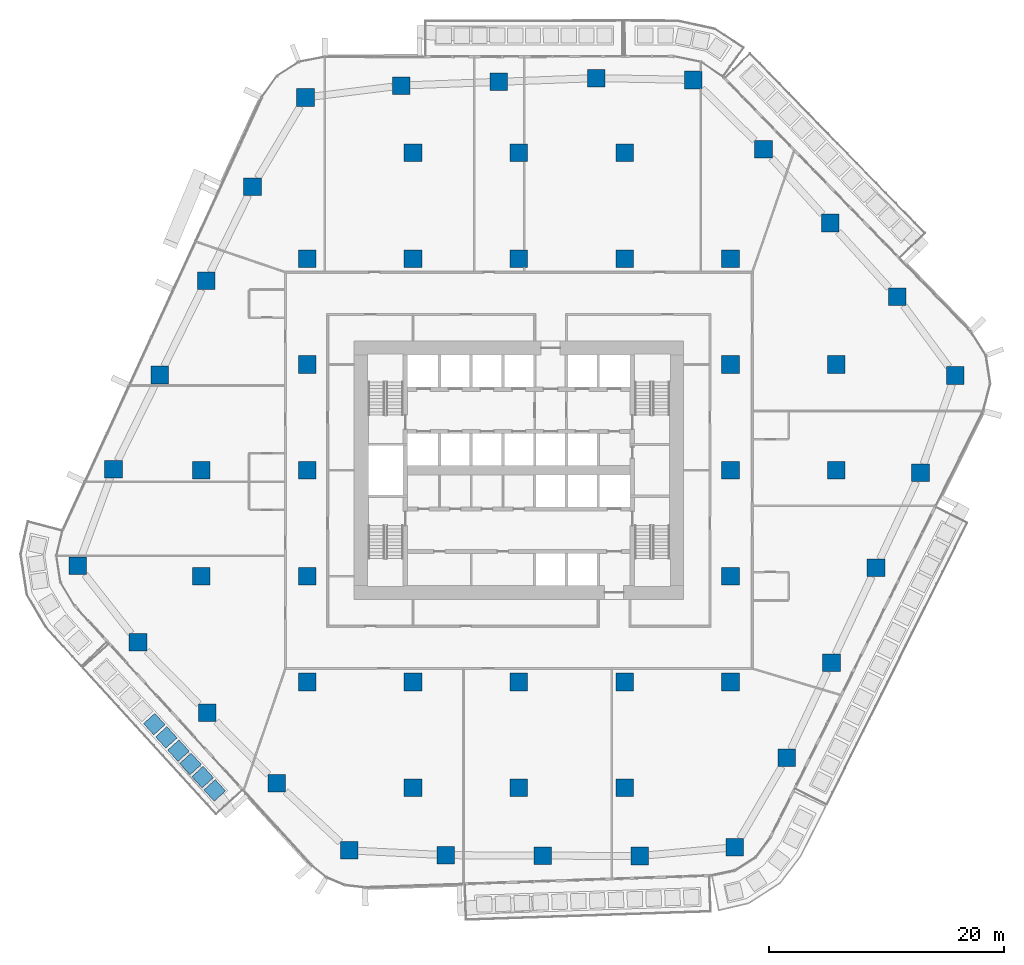
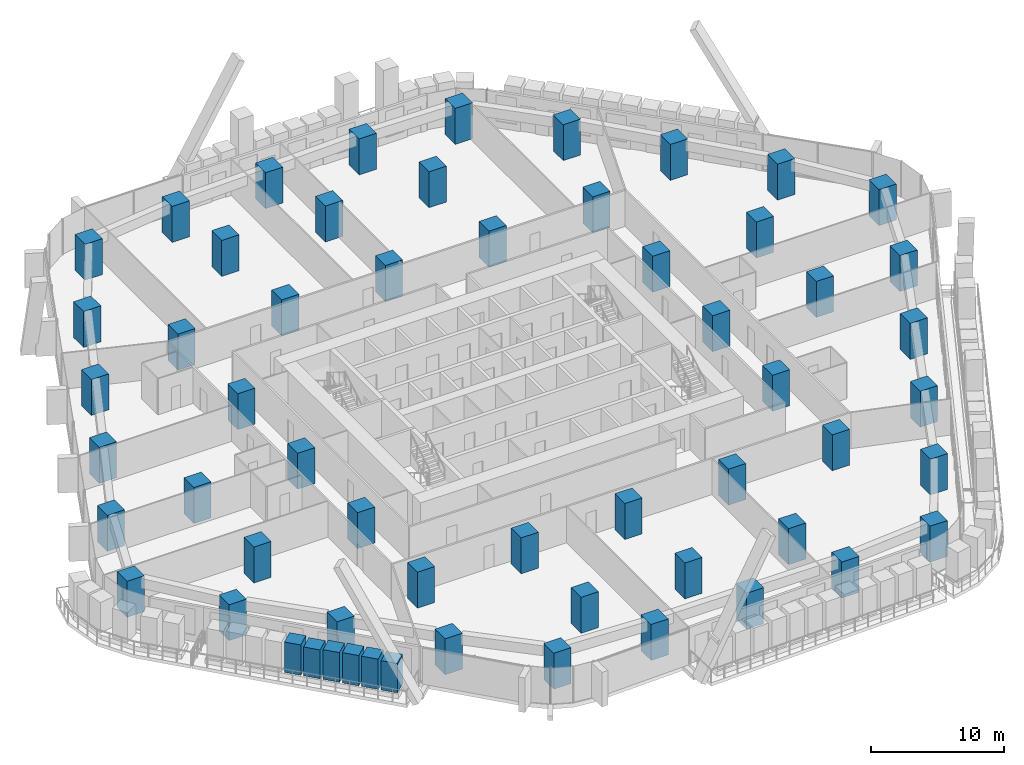
# One storey, part 1 of 26: 52 columns, 6 members.
"""IFC4 building model written with IfcOpenShell, lengths in metres."""

from ifc_helpers import new_model, si_unit, direction, frame, origin, origin_2d, place, context, subcontext, project, spatial, rectangle, extrude, material, material_profile, profile_set, type_object, element, save


model = new_model("IFC4")

# Units and contexts
model_context = context("Model", 3, precision=1e-05, world=origin(), true_north=direction((0.0, 1.0)))
body_context = subcontext(model_context, "Body", "Model", "MODEL_VIEW")
ifc_project = project(units=[si_unit("LENGTHUNIT", "METRE"), si_unit("AREAUNIT", "SQUARE_METRE"), si_unit("VOLUMEUNIT", "CUBIC_METRE"), si_unit("PLANEANGLEUNIT", "RADIAN"), si_unit("MASSUNIT", "GRAM", prefix="KILO")], contexts=[model_context])

# Site, building, storey
site_placement = place(None, origin())
site = spatial("IfcSite", under=ifc_project, at=site_placement, CompositionType="ELEMENT")
building_placement = place(site_placement, origin())
building = spatial("IfcBuilding", under=site, at=building_placement, Name="Dongbaek Canopy Tower", CompositionType="ELEMENT")
storey_placement = place(building_placement, frame((0.0, 0.0, 73.60009765625)))
storey = spatial("IfcBuildingStorey", under=building, at=storey_placement, Name="L14", CompositionType="ELEMENT", Elevation=73.60009765625)

# Columns
ifc_material_1 = material(Name="Concrete C80", Category="concrete")
ifc_material_profile_1 = material_profile(ifc_material_1, rectangle(XDim=1.5, YDim=1.5, at=origin_2d()), Name="RC COLUMN 1500x1500 C80")
ifc_profile_set_1 = profile_set([ifc_material_profile_1], Name="Concrete C80")
column_type = type_object("IfcColumnType", Name="RC COLUMN 1500x1500 C80", PredefinedType="COLUMN", material=ifc_profile_set_1)
for number, where, z_axis, x_axis, name in (
    (1, (18.367919921875, -32.04296875, 0.0), (0.0, 0.0, 1.0), (1.0, 0.0, 0.0), "COL:CZ1-01:L14"),
    (2, (10.277099609375, -32.7900390625, 0.0), (0.0, 0.0, 1.0), (1.0, 0.0, 0.0), "COL:CZ1-02:L14"),
    (3, (2.027099609375, -32.7529296875, 0.0), (0.0, 0.0, 1.0), (1.0, 0.0, 0.0), "COL:CZ1-03:L14"),
    (4, (-6.221923828125, -32.717041015625, 0.0), (0.0, 0.0, 1.0), (1.0, 0.0, 0.0), "COL:CZ1-04:L14"),
    (5, (-14.43408203125, -32.31298828125, 0.0), (0.0, 0.0, 1.0), (1.0, 0.0, 0.0), "COL:CZ1-05:L14"),
    (6, (-20.573974609375, -26.60205078125, 0.0), (0.0, 0.0, 1.0), (1.0, 0.0, 0.0), "COL:CZ1-06:L14"),
    (7, (-26.47802734375, -20.60791015625, 0.0), (0.0, 0.0, 1.0), (1.0, 0.0, 0.0), "COL:CZ1-07:L14"),
    (8, (-32.382080078125, -14.613037109375, 0.0), (0.0, 0.0, 1.0), (1.0, 0.0, 0.0), "COL:CZ1-08:L14"),
    (9, (-37.489013671875, -8.123046875, 0.0), (0.0, 0.0, 1.0), (1.0, 0.0, 0.0), "COL:CZ1-09:L14"),
    (10, (-34.462890625, 0.10302734375, 0.0), (0.0, 0.0, 1.0), (1.0, 0.0, 0.0), "COL:CZ1-10:L14"),
    (11, (-30.52490234375, 8.111083984375, 0.0), (0.0, 0.0, 1.0), (1.0, 0.0, 0.0), "COL:CZ1-11:L14"),
    (12, (-26.5859375, 16.117919921875, 0.0), (0.0, 0.0, 1.0), (1.0, 0.0, 0.0), "COL:CZ1-12:L14"),
    (13, (-22.64794921875, 24.125, 0.0), (0.0, 0.0, 1.0), (1.0, 0.0, 0.0), "COL:CZ1-13:L14"),
    (14, (-18.138916015625, 31.698974609375, 0.0), (0.0, 0.0, 1.0), (1.0, 0.0, 0.0), "COL:CZ1-14:L14"),
    (15, (-10.006103515625, 32.714111328125, 0.0), (0.0, 0.0, 1.0), (1.0, 0.0, 0.0), "COL:CZ1-15:L14"),
    (16, (-1.7080078125, 33.031982421875, 0.0), (0.0, 0.0, 1.0), (1.0, 0.0, 0.0), "COL:CZ1-16:L14"),
    (17, (6.589111328125, 33.34912109375, 0.0), (0.0, 0.0, 1.0), (1.0, 0.0, 0.0), "COL:CZ1-17:L14"),
    (18, (14.830078125, 33.194091796875, 0.0), (0.0, 0.0, 1.0), (1.0, 0.0, 0.0), "COL:CZ1-18:L14"),
    (19, (20.804931640625, 27.297119140625, 0.0), (0.0, 0.0, 1.0), (1.0, 0.0, 0.0), "COL:CZ1-19:L14"),
    (20, (26.48193359375, 21.029052734375, 0.0), (0.0, 0.0, 1.0), (1.0, 0.0, 0.0), "COL:CZ1-20:L14"),
    (21, (32.157958984375, 14.760986328125, 0.0), (0.0, 0.0, 1.0), (1.0, 0.0, 0.0), "COL:CZ1-21:L14"),
    (22, (37.097900390625, 8.06591796875, 0.0), (0.0, 0.0, 1.0), (1.0, 0.0, 0.0), "COL:CZ1-22:L14"),
    (23, (34.14306640625, -0.205078125, 0.0), (0.0, 0.0, 1.0), (1.0, 0.0, 0.0), "COL:CZ1-23:L14"),
    (24, (30.360107421875, -8.283935546875, 0.0), (0.0, 0.0, 1.0), (1.0, 0.0, 0.0), "COL:CZ1-24:L14"),
    (25, (26.575927734375, -16.364013671875, 0.0), (0.0, 0.0, 1.0), (1.0, 0.0, 0.0), "COL:CZ1-25:L14"),
    (26, (22.7919921875, -24.443115234375, 0.0), (0.0, 0.0, 1.0), (1.0, 0.0, 0.0), "COL:CZ1-26:L14"),
    (27, (-27.0, -9.0, 0.0), (0.0, 0.0, 1.0), (1.0, 0.0, 0.0), "COL:CIZ1-01:L14"),
    (28, (-27.0, 0.0, 0.0), (0.0, 0.0, 1.0), (1.0, 0.0, 0.0), "COL:CIZ1-02:L14"),
    (29, (-18.0, -18.0, 0.0), (0.0, 0.0, 1.0), (1.0, 0.0, 0.0), "COL:CIZ1-03:L14"),
    (30, (-18.0, -9.0, 0.0), (0.0, 0.0, 1.0), (1.0, 0.0, 0.0), "COL:CIZ1-04:L14"),
    (31, (-18.0, 0.0, 0.0), (0.0, 0.0, 1.0), (1.0, 0.0, 0.0), "COL:CIZ1-05:L14"),
    (32, (-18.0, 9.0, 0.0), (0.0, 0.0, 1.0), (1.0, 0.0, 0.0), "COL:CIZ1-06:L14"),
    (33, (-18.0, 18.0, 0.0), (0.0, 0.0, 1.0), (1.0, 0.0, 0.0), "COL:CIZ1-07:L14"),
    (34, (-9.0, -27.0, 0.0), (0.0, 0.0, 1.0), (1.0, 0.0, 0.0), "COL:CIZ1-08:L14"),
    (35, (-9.0, -18.0, 0.0), (0.0, 0.0, 1.0), (1.0, 0.0, 0.0), "COL:CIZ1-09:L14"),
    (36, (-9.0, 18.0, 0.0), (0.0, 0.0, 1.0), (1.0, 0.0, 0.0), "COL:CIZ1-10:L14"),
    (37, (-9.0, 27.0, 0.0), (0.0, 0.0, 1.0), (1.0, 0.0, 0.0), "COL:CIZ1-11:L14"),
    (38, (0.0, -27.0, 0.0), (0.0, 0.0, 1.0), (1.0, 0.0, 0.0), "COL:CIZ1-12:L14"),
    (39, (0.0, -18.0, 0.0), (0.0, 0.0, 1.0), (1.0, 0.0, 0.0), "COL:CIZ1-13:L14"),
    (40, (0.0, 18.0, 0.0), (0.0, 0.0, 1.0), (1.0, 0.0, 0.0), "COL:CIZ1-14:L14"),
    (41, (0.0, 27.0, 0.0), (0.0, 0.0, 1.0), (1.0, 0.0, 0.0), "COL:CIZ1-15:L14"),
    (42, (9.0, -27.0, 0.0), (0.0, 0.0, 1.0), (1.0, 0.0, 0.0), "COL:CIZ1-16:L14"),
    (43, (9.0, -18.0, 0.0), (0.0, 0.0, 1.0), (1.0, 0.0, 0.0), "COL:CIZ1-17:L14"),
    (44, (9.0, 18.0, 0.0), (0.0, 0.0, 1.0), (1.0, 0.0, 0.0), "COL:CIZ1-18:L14"),
    (45, (9.0, 27.0, 0.0), (0.0, 0.0, 1.0), (1.0, 0.0, 0.0), "COL:CIZ1-19:L14"),
    (46, (18.0, -18.0, 0.0), (0.0, 0.0, 1.0), (1.0, 0.0, 0.0), "COL:CIZ1-20:L14"),
    (47, (18.0, -9.0, 0.0), (0.0, 0.0, 1.0), (1.0, 0.0, 0.0), "COL:CIZ1-21:L14"),
    (48, (18.0, 0.0, 0.0), (0.0, 0.0, 1.0), (1.0, 0.0, 0.0), "COL:CIZ1-22:L14"),
    (49, (18.0, 9.0, 0.0), (0.0, 0.0, 1.0), (1.0, 0.0, 0.0), "COL:CIZ1-23:L14"),
    (50, (18.0, 18.0, 0.0), (0.0, 0.0, 1.0), (1.0, 0.0, 0.0), "COL:CIZ1-24:L14"),
    (51, (27.0, 0.0, 0.0), (0.0, 0.0, 1.0), (1.0, 0.0, 0.0), "COL:CIZ1-25:L14"),
    (52, (27.0, 9.0, 0.0), (0.0, 0.0, 1.0), (1.0, 0.0, 0.0), "COL:CIZ1-26:L14"),
):
    element("IfcColumn", number, at=place(storey_placement, frame(where, z_axis=z_axis, x_axis=x_axis)), inside=storey, type_object=column_type, Name=name, PredefinedType="COLUMN", context=body_context, shape_type="SweptSolid", body=[
        extrude(rectangle(XDim=1.5, YDim=1.5, at=origin_2d()), origin(), (0.0, 0.0, 1.0), 3.2998046875),
    ])

# Members
ifc_material_2 = material(Name="Concrete C40/50 planter mass with planting", Category="concrete")
ifc_material_profile_2 = material_profile(ifc_material_2, rectangle(XDim=1.300048828125, YDim=1.300048828125, at=origin_2d()), Name="Terrace PLANTER shrub mass 1300 x 1300")
ifc_profile_set_2 = profile_set([ifc_material_profile_2], Name="Concrete C40/50 planter mass with planting")
member_type = type_object("IfcMemberType", Name="Terrace PLANTER shrub mass 1300 x 1300", PredefinedType="USERDEFINED", material=ifc_profile_set_2)
member_1_placement = place(storey_placement, frame((-30.9951171875, -21.578369140625, 0.419921875), z_axis=(0.0, 0.0, 1.0), x_axis=(-0.738720005108, -0.674012428708, 0.0)))
element("IfcMember", 53, at=member_1_placement, inside=storey, type_object=member_type, Name="Planter shrubs L14 3.5", ObjectType="PLANTER", PredefinedType="USERDEFINED", context=body_context, shape_type="SweptSolid", body=[
    extrude(rectangle(XDim=1.300048828125, YDim=1.300048828125, at=origin_2d()), origin(), (0.0, 0.0, 1.0), 2.780029296875),
])
member_2_placement = place(storey_placement, frame((-29.967041015625, -22.705322265625, 0.419921875), z_axis=(0.0, 0.0, 1.0), x_axis=(-0.738720005108, -0.674012428708, 0.0)))
element("IfcMember", 54, at=member_2_placement, inside=storey, type_object=member_type, Name="Planter shrubs L14 3.6", ObjectType="PLANTER", PredefinedType="USERDEFINED", context=body_context, shape_type="SweptSolid", body=[
    extrude(rectangle(XDim=1.300048828125, YDim=1.300048828125, at=origin_2d()), origin(), (0.0, 0.0, 1.0), 2.64990234375),
])
member_3_placement = place(storey_placement, frame((-28.93896484375, -23.83203125, 0.419921875), z_axis=(0.0, 0.0, 1.0), x_axis=(-0.738720005108, -0.674012428708, 0.0)))
element("IfcMember", 55, at=member_3_placement, inside=storey, type_object=member_type, Name="Planter shrubs L14 3.7", ObjectType="PLANTER", PredefinedType="USERDEFINED", context=body_context, shape_type="SweptSolid", body=[
    extrude(rectangle(XDim=1.300048828125, YDim=1.300048828125, at=origin_2d()), origin(), (0.0, 0.0, 1.0), 2.72998046875),
])
member_4_placement = place(storey_placement, frame((-27.91064453125, -24.958740234375, 0.419921875), z_axis=(0.0, 0.0, 1.0), x_axis=(-0.738720005108, -0.674012428708, 0.0)))
element("IfcMember", 56, at=member_4_placement, inside=storey, type_object=member_type, Name="Planter shrubs L14 3.8", ObjectType="PLANTER", PredefinedType="USERDEFINED", context=body_context, shape_type="SweptSolid", body=[
    extrude(rectangle(XDim=1.300048828125, YDim=1.300048828125, at=origin_2d()), origin(), (0.0, 0.0, 1.0), 2.780029296875),
])
member_5_placement = place(storey_placement, frame((-26.882568359375, -26.085693359375, 0.419921875), z_axis=(0.0, 0.0, 1.0), x_axis=(-0.738720005108, -0.674012428708, 0.0)))
element("IfcMember", 57, at=member_5_placement, inside=storey, type_object=member_type, Name="Planter shrubs L14 3.9", ObjectType="PLANTER", PredefinedType="USERDEFINED", context=body_context, shape_type="SweptSolid", body=[
    extrude(rectangle(XDim=1.300048828125, YDim=1.300048828125, at=origin_2d()), origin(), (0.0, 0.0, 1.0), 2.77001953125),
])
member_6_placement = place(storey_placement, frame((-25.8544921875, -27.21240234375, 0.419921875), z_axis=(0.0, 0.0, 1.0), x_axis=(-0.738720005108, -0.674012428708, 0.0)))
element("IfcMember", 58, at=member_6_placement, inside=storey, type_object=member_type, Name="Planter shrubs L14 3.10", ObjectType="PLANTER", PredefinedType="USERDEFINED", context=body_context, shape_type="SweptSolid", body=[
    extrude(rectangle(XDim=1.300048828125, YDim=1.300048828125, at=origin_2d()), origin(), (0.0, 0.0, 1.0), 2.68994140625),
])

save(model, "model.ifc")
